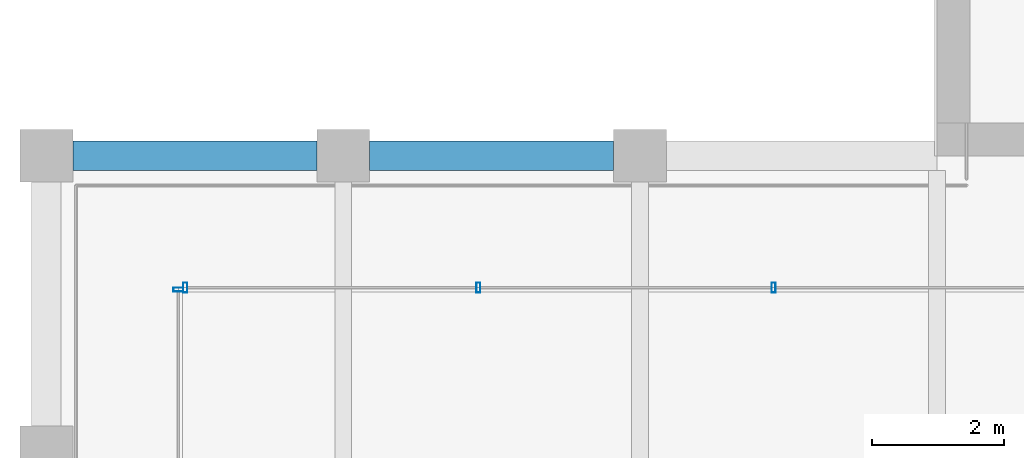
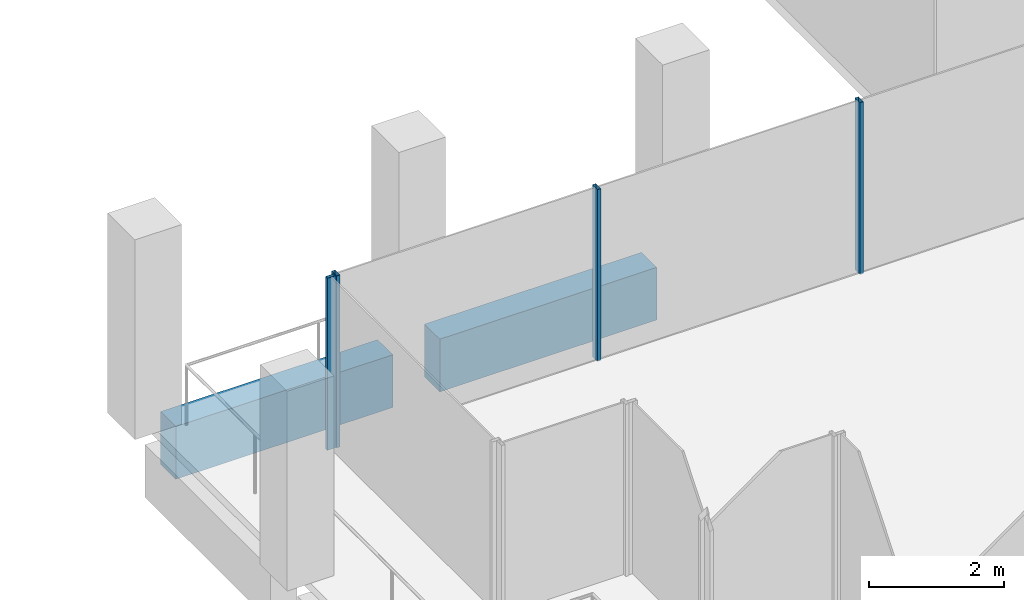
# One storey, part 5 of 30: 4 members, 2 beams, 2 elements without a shape of their own.
"""IFC4 building model written with IfcOpenShell, lengths in metres."""

from ifc_helpers import new_model, si_unit, direction, frame, origin, origin_2d, place, context, subcontext, project, spatial, rectangle, hollow_rectangle, extrude, material, material_profile, profile_set, type_object, element, aggregate, save


model = new_model("IFC4")

# Units and contexts
model_context = context("Model", 3, precision=1e-05, world=origin(), true_north=direction((0.0, 1.0)))
body_context = subcontext(model_context, "Body", "Model", "MODEL_VIEW")
ifc_project = project(units=[si_unit("LENGTHUNIT", "METRE"), si_unit("AREAUNIT", "SQUARE_METRE"), si_unit("VOLUMEUNIT", "CUBIC_METRE"), si_unit("PLANEANGLEUNIT", "RADIAN"), si_unit("MASSUNIT", "GRAM", prefix="KILO")], contexts=[model_context])

# Site, building, storey
site_placement = place(None, origin())
site = spatial("IfcSite", under=ifc_project, at=site_placement, CompositionType="ELEMENT")
building_placement = place(site_placement, origin())
building = spatial("IfcBuilding", under=site, at=building_placement, Name="Altepetl Exchange Towers", CompositionType="ELEMENT")
storey_placement = place(building_placement, frame((0.0, 0.0, 224.39990234375)))
storey = spatial("IfcBuildingStorey", under=building, at=storey_placement, Name="L57", CompositionType="ELEMENT", Elevation=224.39990234375)

# Curtain wall, members
ifc_material_1 = material(Name="Aluminium 6063-T6 glazing", Category="aluminium")
curtain_wall_type = type_object("IfcCurtainWallType", Name="Loggia glazing system", PredefinedType="NOTDEFINED", material=ifc_material_1)
curtain_wall_1_placement = place(storey_placement, origin())
curtain_wall_1 = element("IfcCurtainWall", 1, at=curtain_wall_1_placement, inside=storey, type_object=curtain_wall_type, Name="CW1 run", PredefinedType="NOTDEFINED")
ifc_material_2 = material(Name="Aluminium 6063-T6", Category="aluminium")
ifc_material_profile_1 = material_profile(ifc_material_2, hollow_rectangle(XDim=0.06005859375, YDim=0.14990234375, WallThickness=0.0029296875, at=origin_2d()), Name="Mullion 60x150 aluminium")
ifc_profile_set_1 = profile_set([ifc_material_profile_1], Name="Aluminium 6063-T6")
member_type = type_object("IfcMemberType", Name="Mullion 60x150 aluminium", PredefinedType="MULLION", material=ifc_profile_set_1)
member_1_placement = place(storey_placement, frame((38.02490234375, 38.5, 0.0), z_axis=(0.0, 0.0, 1.0), x_axis=(-1.0, 0.0, 0.0)))
member_1 = element("IfcMember", 2, at=member_1_placement, type_object=member_type, Name="MU1 mullion", PredefinedType="MULLION", context=body_context, shape_type="SweptSolid", body=[
    extrude(hollow_rectangle(XDim=0.06005859375, YDim=0.14990234375, WallThickness=0.0029296875, at=origin_2d()), origin(), (0.0, 0.0, 1.0), 3.10009765625),
])
member_2_placement = place(storey_placement, frame((33.550048828125, 38.5, 0.0), z_axis=(0.0, 0.0, 1.0), x_axis=(-1.0, 0.0, 0.0)))
member_2 = element("IfcMember", 3, at=member_2_placement, type_object=member_type, Name="MU1 mullion", PredefinedType="MULLION", context=body_context, shape_type="SweptSolid", body=[
    extrude(hollow_rectangle(XDim=0.06005859375, YDim=0.14990234375, WallThickness=0.0029296875, at=origin_2d()), origin(), (0.0, 0.0, 1.0), 3.10009765625),
])
member_3_placement = place(storey_placement, frame((29.10498046875, 38.5, 0.0), z_axis=(0.0, 0.0, 1.0), x_axis=(-1.0, 0.0, 0.0)))
member_3 = element("IfcMember", 4, at=member_3_placement, type_object=member_type, Name="MU1 mullion", PredefinedType="MULLION", context=body_context, shape_type="SweptSolid", body=[
    extrude(hollow_rectangle(XDim=0.06005859375, YDim=0.14990234375, WallThickness=0.0029296875, at=origin_2d()), origin(), (0.0, 0.0, 1.0), 3.10009765625),
])
aggregate(curtain_wall_1, [member_1, member_2, member_3])

# Curtain wall, member
curtain_wall_2_placement = place(storey_placement, origin())
curtain_wall_2 = element("IfcCurtainWall", 5, at=curtain_wall_2_placement, inside=storey, type_object=curtain_wall_type, Name="CW1 run", PredefinedType="NOTDEFINED")
member_4_placement = place(storey_placement, frame((29.0, 38.469970703125, 0.0), z_axis=(0.0, 0.0, 1.0), x_axis=(0.0, -1.0, 0.0)))
member_4 = element("IfcMember", 6, at=member_4_placement, type_object=member_type, Name="MU1 mullion", PredefinedType="MULLION", context=body_context, shape_type="SweptSolid", body=[
    extrude(hollow_rectangle(XDim=0.06005859375, YDim=0.14990234375, WallThickness=0.0029296875, at=origin_2d()), origin(), (0.0, 0.0, 1.0), 3.10009765625),
])
aggregate(curtain_wall_2, [member_4])

# Beams
ifc_material_3 = material(Name="Concrete C50/60 precast with tezontle facing", Category="concrete")
ifc_material_profile_2 = material_profile(ifc_material_3, rectangle(XDim=0.449951171875, YDim=0.949951171875, at=origin_2d()), Name="450 x 950")
ifc_profile_set_2 = profile_set([ifc_material_profile_2], Name="Concrete C50/60 precast with tezontle facing")
beam_type = type_object("IfcBeamType", Name="Spandrel beam 450x950 tezontle", PredefinedType="SPANDREL", material=ifc_profile_set_2)
for number, where, z_axis, x_axis, name in (
    (7, (35.60009765625, 40.5, -0.625), (-1.0, 0.0, 0.0), (0.0, -1.0, 0.0), "sp:A:L57:034"),
    (8, (31.10009765625, 40.5, -0.625), (-1.0, 0.0, 0.0), (0.0, -1.0, 0.0), "sp:A:L57:035"),
):
    element("IfcBeam", number, at=place(storey_placement, frame(where, z_axis=z_axis, x_axis=x_axis)), inside=storey, type_object=beam_type, Name=name, PredefinedType="SPANDREL", context=body_context, shape_type="SweptSolid", body=[
        extrude(rectangle(XDim=0.449951171875, YDim=0.949951171875, at=origin_2d()), origin(), (0.0, 0.0, 1.0), 3.7001953125),
    ])

save(model, "model.ifc")
